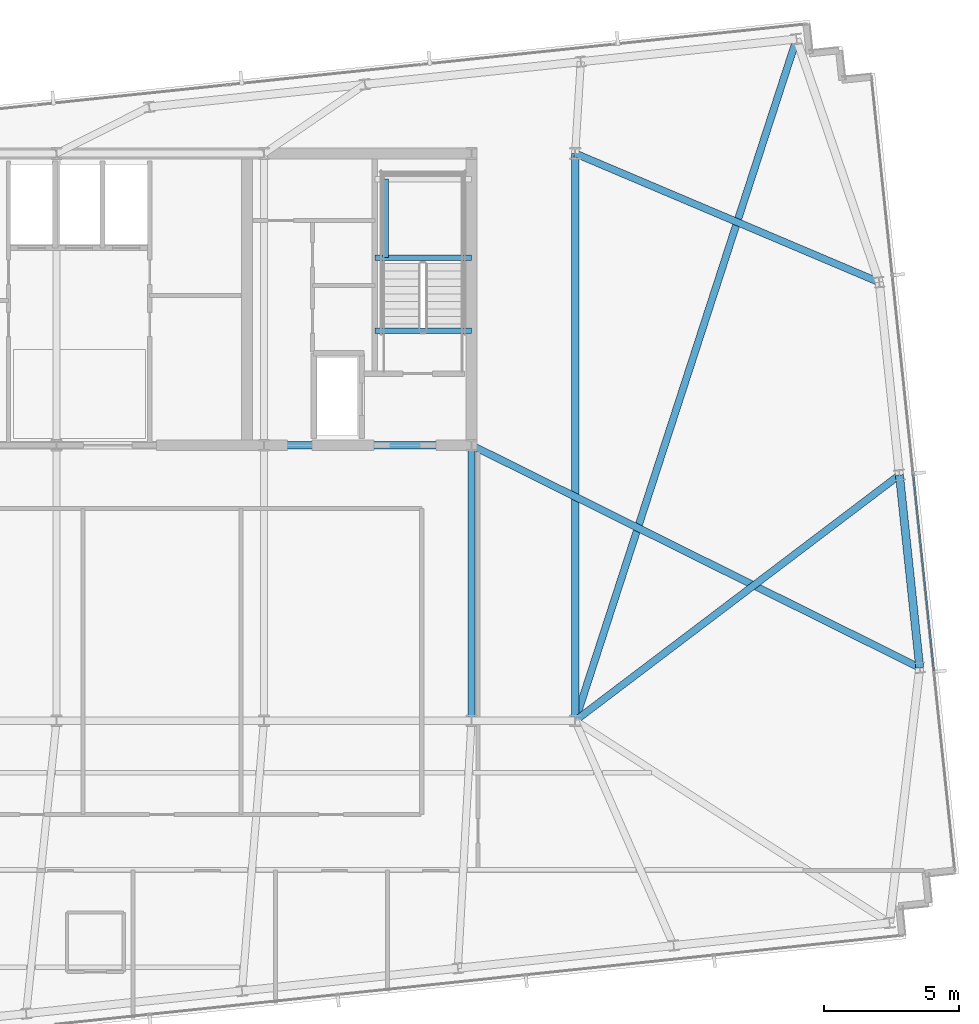
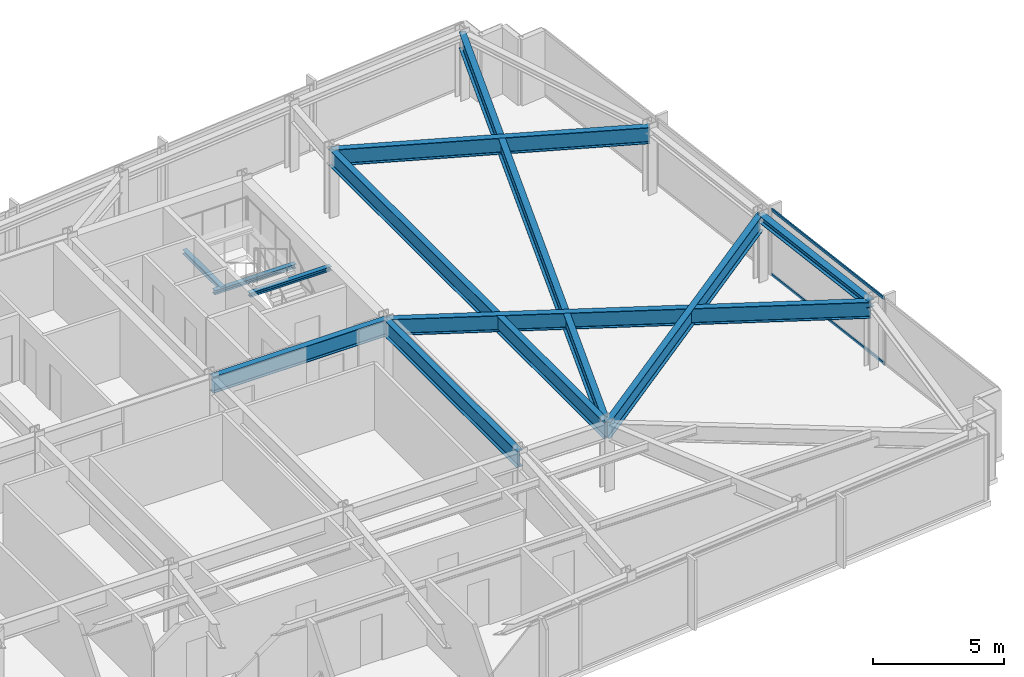
# One storey, part 18 of 32: 11 beams, 2 members, 1 element without a shape of its own.
"""IFC4 building model written with IfcOpenShell, lengths in metres."""

from ifc_helpers import new_model, si_unit, direction, frame, origin, origin_2d, place, context, subcontext, project, spatial, hollow_rectangle, i_section, extrude, material, material_profile, profile_set, type_object, element, aggregate, save


model = new_model("IFC4")

# Units and contexts
model_context = context("Model", 3, precision=1e-05, world=origin(), true_north=direction((0.0, 1.0)))
body_context = subcontext(model_context, "Body", "Model", "MODEL_VIEW")
ifc_project = project(units=[si_unit("LENGTHUNIT", "METRE"), si_unit("AREAUNIT", "SQUARE_METRE"), si_unit("VOLUMEUNIT", "CUBIC_METRE"), si_unit("PLANEANGLEUNIT", "RADIAN"), si_unit("MASSUNIT", "GRAM", prefix="KILO")], contexts=[model_context])

# Site, building, storey
site_placement = place(None, origin())
site = spatial("IfcSite", under=ifc_project, at=site_placement, CompositionType="ELEMENT")
building_placement = place(site_placement, origin())
building = spatial("IfcBuilding", under=site, at=building_placement, Name="Yelkora Congress Tower", CompositionType="ELEMENT")
storey_placement = place(building_placement, frame((0.0, 0.0, 211.10009765625)))
storey = spatial("IfcBuildingStorey", under=building, at=storey_placement, Name="L58", CompositionType="ELEMENT", Elevation=211.10009765625)

# Beams
ifc_material_1 = material(Name="Steel S355J2", Category="steel")
ifc_material_profile_1 = material_profile(ifc_material_1, i_section(OverallWidth=0.26708984375, OverallDepth=0.761962890625, WebThickness=0.014404296875, FlangeThickness=0.021484375, FilletRadius=0.01708984375, at=origin_2d()), Name="IPE 750x173")
ifc_profile_set_1 = profile_set([ifc_material_profile_1], Name="Steel S355J2")
beam_type_1 = type_object("IfcBeamType", Name="BM-GIRD-IPE750", PredefinedType="BEAM", material=ifc_profile_set_1)
beam_1_placement = place(storey_placement, frame((46.080078125, 35.39990234375, 2.698974609375), z_axis=(1.0, 0.0, 0.0), x_axis=(0.0, 1.0, 0.0)))
element("IfcBeam", 1, at=beam_1_placement, inside=storey, type_object=beam_type_1, Name="L58 Core South Girder 4", PredefinedType="BEAM", context=body_context, shape_type="SweptSolid", body=[
    extrude(i_section(OverallWidth=0.26708984375, OverallDepth=0.761962890625, WebThickness=0.014404296875, FlangeThickness=0.021484375, FilletRadius=0.01708984375, at=origin_2d()), origin(), (0.0, 0.0, 1.0), 7.679931640625),
])
beam_2_placement = place(storey_placement, frame((53.760009765625, 25.199951171875, 2.698974609375), z_axis=(0.0, 1.0, 0.0), x_axis=(-1.0, 0.0, 0.0)))
element("IfcBeam", 2, at=beam_2_placement, inside=storey, type_object=beam_type_1, Name="L58 Core Tie Girder MC-D5", PredefinedType="BEAM", context=body_context, shape_type="SweptSolid", body=[
    extrude(i_section(OverallWidth=0.26708984375, OverallDepth=0.761962890625, WebThickness=0.014404296875, FlangeThickness=0.021484375, FilletRadius=0.01708984375, at=origin_2d()), origin(), (0.0, 0.0, 1.0), 10.199951171875),
])
beam_3_placement = place(storey_placement, frame((57.60009765625, 25.199951171875, 2.698974609375), z_axis=(0.0, 1.0, 0.0), x_axis=(-1.0, 0.0, 0.0)))
element("IfcBeam", 3, at=beam_3_placement, inside=storey, type_object=beam_type_1, Name="L58 Neck Flank Girder MC-F2", PredefinedType="BEAM", context=body_context, shape_type="SweptSolid", body=[
    extrude(i_section(OverallWidth=0.26708984375, OverallDepth=0.761962890625, WebThickness=0.014404296875, FlangeThickness=0.021484375, FilletRadius=0.01708984375, at=origin_2d()), origin(), (0.0, 0.0, 1.0), 21.0),
])
beam_4_placement = place(storey_placement, frame((65.7958984375, 50.4365234375, 2.698974609375), z_axis=(-0.308878638672, -0.951101459663, 0.0), x_axis=(0.951101459663, -0.308878638672, 0.0)))
element("IfcBeam", 4, at=beam_4_placement, inside=storey, type_object=beam_type_1, Name="L58 Primary Frame Girder N07", PredefinedType="BEAM", context=body_context, shape_type="SweptSolid", body=[
    extrude(i_section(OverallWidth=0.26708984375, OverallDepth=0.761962890625, WebThickness=0.014404296875, FlangeThickness=0.021484375, FilletRadius=0.01708984375, at=origin_2d()), origin(), (0.0, 0.0, 1.0), 26.533935546875),
])
beam_5_placement = place(storey_placement, frame((70.35400390625, 27.160400390625, 2.698974609375), z_axis=(-0.895665070913, 0.444729221826, 0.0), x_axis=(-0.444729221826, -0.895665070913, 0.0)))
element("IfcBeam", 5, at=beam_5_placement, inside=storey, type_object=beam_type_1, Name="L58 Primary Frame Girder E01", PredefinedType="BEAM", context=body_context, shape_type="SweptSolid", body=[
    extrude(i_section(OverallWidth=0.26708984375, OverallDepth=0.761962890625, WebThickness=0.014404296875, FlangeThickness=0.021484375, FilletRadius=0.01708984375, at=origin_2d()), origin(), (0.0, 0.0, 1.0), 18.527099609375),
])
beam_6_placement = place(storey_placement, frame((69.60400390625, 34.296142578125, 2.698974609375), z_axis=(-0.797017901034, -0.603955681678, 0.0), x_axis=(0.603955681678, -0.797017901034, 0.0)))
element("IfcBeam", 6, at=beam_6_placement, inside=storey, type_object=beam_type_1, Name="L58 Primary Frame Girder E02", PredefinedType="BEAM", context=body_context, shape_type="SweptSolid", body=[
    extrude(i_section(OverallWidth=0.26708984375, OverallDepth=0.761962890625, WebThickness=0.014404296875, FlangeThickness=0.021484375, FilletRadius=0.01708984375, at=origin_2d()), origin(), (0.0, 0.0, 1.0), 15.06103515625),
])
beam_7_placement = place(storey_placement, frame((68.85400390625, 41.431884765625, 2.698974609375), z_axis=(-0.920767530621, 0.390111720606, 0.0), x_axis=(-0.390111720606, -0.920767530621, 0.0)))
element("IfcBeam", 7, at=beam_7_placement, inside=storey, type_object=beam_type_1, Name="L58 Primary Frame Girder E03", PredefinedType="BEAM", context=body_context, shape_type="SweptSolid", body=[
    extrude(i_section(OverallWidth=0.26708984375, OverallDepth=0.761962890625, WebThickness=0.014404296875, FlangeThickness=0.021484375, FilletRadius=0.01708984375, at=origin_2d()), origin(), (0.0, 0.0, 1.0), 12.222412109375),
])
ifc_material_profile_2 = material_profile(ifc_material_1, i_section(OverallWidth=0.199951171875, OverallDepth=0.18994140625, WebThickness=0.006591796875, FlangeThickness=0.010009765625, FilletRadius=0.01806640625, at=origin_2d()), Name="HEA 200")
ifc_profile_set_2 = profile_set([ifc_material_profile_2], Name="Steel S355J2")
beam_type_2 = type_object("IfcBeamType", Name="BM-LAND-HEA200", PredefinedType="BEAM", material=ifc_profile_set_2)
beam_8_placement = place(storey_placement, frame((50.179931640625, 42.340087890625, 1.33447265625), z_axis=(1.0, 0.0, 0.0), x_axis=(0.0, 1.0, 0.0)))
element("IfcBeam", 8, at=beam_8_placement, inside=storey, type_object=beam_type_2, Name="ST-02 L58 Landing Header Beam 1S", PredefinedType="BEAM", context=body_context, shape_type="SweptSolid", body=[
    extrude(i_section(OverallWidth=0.199951171875, OverallDepth=0.18994140625, WebThickness=0.006591796875, FlangeThickness=0.010009765625, FilletRadius=0.01806640625, at=origin_2d()), origin(), (0.0, 0.0, 1.0), 3.580078125),
])
beam_9_placement = place(storey_placement, frame((50.580078125, 42.340087890625, 1.33447265625), z_axis=(0.0, 1.0, 0.0), x_axis=(-1.0, 0.0, 0.0)))
element("IfcBeam", 9, at=beam_9_placement, inside=storey, type_object=beam_type_2, Name="ST-02 L58 Landing Trimmer Beam 1M", PredefinedType="BEAM", context=body_context, shape_type="SweptSolid", body=[
    extrude(i_section(OverallWidth=0.199951171875, OverallDepth=0.18994140625, WebThickness=0.006591796875, FlangeThickness=0.010009765625, FilletRadius=0.01806640625, at=origin_2d()), origin(), (0.0, 0.0, 1.0), 2.909912109375),
])
beam_10_placement = place(storey_placement, frame((50.179931640625, 39.639892578125, 2.853759765625), z_axis=(1.0, 0.0, 0.0), x_axis=(0.0, 1.0, 0.0)))
element("IfcBeam", 10, at=beam_10_placement, inside=storey, type_object=beam_type_2, Name="ST-02 L58 Floor Arrival Stringer Header Beam", PredefinedType="BEAM", context=body_context, shape_type="SweptSolid", body=[
    extrude(i_section(OverallWidth=0.199951171875, OverallDepth=0.18994140625, WebThickness=0.006591796875, FlangeThickness=0.010009765625, FilletRadius=0.01806640625, at=origin_2d()), origin(), (0.0, 0.0, 1.0), 3.580078125),
])
ifc_material_profile_3 = material_profile(ifc_material_1, i_section(OverallWidth=0.300048828125, OverallDepth=0.340087890625, WebThickness=0.011962890625, FlangeThickness=0.021484375, FilletRadius=0.027099609375, at=origin_2d()), Name="HEB 340")
ifc_profile_set_3 = profile_set([ifc_material_profile_3], Name="Steel S355J2")
beam_type_3 = type_object("IfcBeamType", Name="BM-SPAN-HEB340", PredefinedType="SPANDREL", material=ifc_profile_set_3)
beam_11_placement = place(storey_placement, frame((70.35400390625, 27.160400390625, 2.909912109375), z_axis=(-0.104528914631, 0.994521847928, 0.0), x_axis=(-0.994521847928, -0.104528914631, 0.0)))
element("IfcBeam", 11, at=beam_11_placement, inside=storey, type_object=beam_type_3, Name="L58 Perimeter Beam 10", PredefinedType="SPANDREL", context=body_context, shape_type="SweptSolid", body=[
    extrude(i_section(OverallWidth=0.300048828125, OverallDepth=0.340087890625, WebThickness=0.011962890625, FlangeThickness=0.021484375, FilletRadius=0.027099609375, at=origin_2d()), origin(), (0.0, 0.0, 1.0), 7.175048828125),
])

# Curtain wall, members
ifc_material_2 = material(Name="Anodised aluminium and insulated glass", Category="aluminium")
curtain_wall_type = type_object("IfcCurtainWallType", Name="CW-SYS-B4", PredefinedType="NOTDEFINED", material=ifc_material_2)
curtain_wall_placement = place(storey_placement, origin())
curtain_wall = element("IfcCurtainWall", 12, at=curtain_wall_placement, inside=storey, type_object=curtain_wall_type, Name="L58 Unitised Curtain Wall 15", PredefinedType="NOTDEFINED")
ifc_material_3 = material(Name="Anodised aluminium 6063-T6", Category="aluminium")
ifc_material_profile_4 = material_profile(ifc_material_3, hollow_rectangle(XDim=0.06005859375, YDim=0.1298828125, WallThickness=0.00390625, at=origin_2d()), Name="ALU 60x130x4")
ifc_profile_set_4 = profile_set([ifc_material_profile_4], Name="Anodised aluminium 6063-T6")
member_type = type_object("IfcMemberType", Name="MEM-TR-B4", PredefinedType="USERDEFINED", material=ifc_profile_set_4)
member_1_placement = place(storey_placement, frame((70.114501953125, 34.317138671875, 0.02978515625), z_axis=(0.104531896307, -0.994521534535, 0.0), x_axis=(0.994521534535, 0.104531896307, 0.0)))
member_1 = element("IfcMember", 13, at=member_1_placement, type_object=member_type, Name="CW-B4 transom 3.1", ObjectType="TRANSOM", PredefinedType="USERDEFINED", context=body_context, shape_type="SweptSolid", body=[
    extrude(hollow_rectangle(XDim=0.06005859375, YDim=0.1298828125, WallThickness=0.00390625, at=origin_2d()), origin(), (0.0, 0.0, 1.0), 7.31494140625),
])
member_2_placement = place(storey_placement, frame((70.114501953125, 34.317138671875, 3.0498046875), z_axis=(0.104531896307, -0.994521534535, 0.0), x_axis=(0.994521534535, 0.104531896307, 0.0)))
member_2 = element("IfcMember", 14, at=member_2_placement, type_object=member_type, Name="CW-B4 transom 3.2", ObjectType="TRANSOM", PredefinedType="USERDEFINED", context=body_context, shape_type="SweptSolid", body=[
    extrude(hollow_rectangle(XDim=0.06005859375, YDim=0.1298828125, WallThickness=0.00390625, at=origin_2d()), origin(), (0.0, 0.0, 1.0), 7.31494140625),
])
aggregate(curtain_wall, [member_1, member_2])

save(model, "model.ifc")
